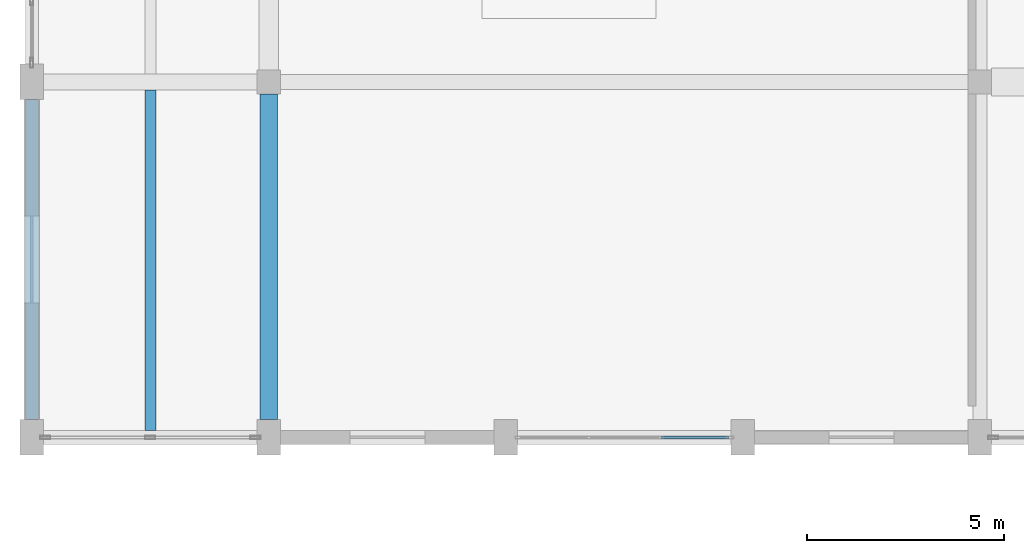
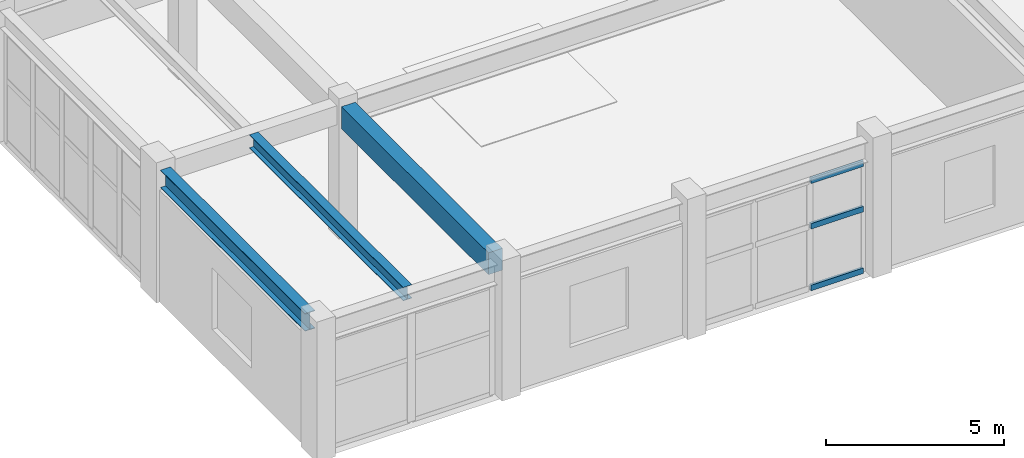
# One storey, part 9 of 80: 3 beams, 3 members, 1 element without a shape of its own.
"""IFC4 building model written with IfcOpenShell, lengths in metres."""

from ifc_helpers import new_model, si_unit, direction, frame, origin, origin_2d, place, context, subcontext, project, spatial, rectangle, hollow_rectangle, i_section, extrude, material, layer, layer_set, material_profile, profile_set, type_object, element, aggregate, save


model = new_model("IFC4")

# Units and contexts
model_context = context("Model", 3, precision=1e-05, world=origin(), true_north=direction((0.0, 1.0)))
body_context = subcontext(model_context, "Body", "Model", "MODEL_VIEW")
ifc_project = project(units=[si_unit("LENGTHUNIT", "METRE"), si_unit("AREAUNIT", "SQUARE_METRE"), si_unit("VOLUMEUNIT", "CUBIC_METRE"), si_unit("PLANEANGLEUNIT", "RADIAN"), si_unit("MASSUNIT", "GRAM", prefix="KILO")], contexts=[model_context])

# Site, building, storey
site_placement = place(None, origin())
site = spatial("IfcSite", under=ifc_project, at=site_placement, CompositionType="ELEMENT")
building_placement = place(site_placement, origin())
building = spatial("IfcBuilding", under=site, at=building_placement, Name="Vaelkrest Opera House", CompositionType="ELEMENT")
storey_placement = place(building_placement, frame((0.0, 0.0, 15.0)))
storey = spatial("IfcBuildingStorey", under=building, at=storey_placement, Name="L03", CompositionType="ELEMENT", Elevation=15.0)

# Beam
ifc_material_1 = material(Name="Concrete C50/60", Category="concrete")
ifc_material_profile_1 = material_profile(ifc_material_1, rectangle(XDim=0.449951171875, YDim=0.75, at=origin_2d()), Name="RCB450X750")
ifc_profile_set_1 = profile_set([ifc_material_profile_1], Name="Concrete C50/60")
beam_type_1 = type_object("IfcBeamType", Name="B02", PredefinedType="BEAM", material=ifc_profile_set_1)
beam_1_placement = place(storey_placement, frame((-69.60009765625, -16.35009765625, 4.1298828125), z_axis=(0.0, 1.0, 0.0), x_axis=(-1.0, 0.0, 0.0)))
element("IfcBeam", 1, at=beam_1_placement, inside=storey, type_object=beam_type_1, Name="Beam BM-V3-L03-1767", PredefinedType="BEAM", context=body_context, shape_type="SweptSolid", body=[
    extrude(rectangle(XDim=0.449951171875, YDim=0.75, at=origin_2d()), origin(), (0.0, 0.0, 1.0), 8.25),
])

# Curtain wall, members
ifc_material_2 = material(Name="Dark bronze anodized aluminium", Category="aluminium")
ifc_layer = layer(ifc_material_2, 0.22998046875)
ifc_layer_set = layer_set([ifc_layer], Name="Dark bronze anodized aluminium")
curtain_wall_type = type_object("IfcCurtainWallType", Name="CW06", PredefinedType="NOTDEFINED", material=ifc_layer_set)
curtain_wall_placement = place(storey_placement, origin())
curtain_wall = element("IfcCurtainWall", 2, at=curtain_wall_placement, inside=storey, type_object=curtain_wall_type, Name="Curtain wall CW-L03-127", PredefinedType="NOTDEFINED")
ifc_material_profile_2 = material_profile(ifc_material_2, hollow_rectangle(XDim=0.080078125, YDim=0.18994140625, WallThickness=0.0048828125, at=origin_2d()), Name="CWT80X190")
ifc_profile_set_2 = profile_set([ifc_material_profile_2], Name="Dark bronze anodized aluminium")
member_type = type_object("IfcMemberType", Name="CWT04", PredefinedType="USERDEFINED", material=ifc_profile_set_2)
member_1_placement = place(storey_placement, frame((-57.968017578125, -16.800048828125, 0.0400390625), z_axis=(-1.0, 0.0, 0.0), x_axis=(0.0, -1.0, 0.0)))
member_1 = element("IfcMember", 3, at=member_1_placement, type_object=member_type, Name="CW06 transom 1.1", ObjectType="TRANSOM", PredefinedType="USERDEFINED", context=body_context, shape_type="SweptSolid", body=[
    extrude(hollow_rectangle(XDim=0.080078125, YDim=0.18994140625, WallThickness=0.0048828125, at=origin_2d()), origin(), (0.0, 0.0, 1.0), 1.6962890625),
])
member_2_placement = place(storey_placement, frame((-57.968017578125, -16.800048828125, 2.14990234375), z_axis=(-1.0, 0.0, 0.0), x_axis=(0.0, -1.0, 0.0)))
member_2 = element("IfcMember", 4, at=member_2_placement, type_object=member_type, Name="CW06 transom 1.2", ObjectType="TRANSOM", PredefinedType="USERDEFINED", context=body_context, shape_type="SweptSolid", body=[
    extrude(hollow_rectangle(XDim=0.080078125, YDim=0.18994140625, WallThickness=0.0048828125, at=origin_2d()), origin(), (0.0, 0.0, 1.0), 1.6962890625),
])
member_3_placement = place(storey_placement, frame((-57.968017578125, -16.800048828125, 3.705078125), z_axis=(-1.0, 0.0, 0.0), x_axis=(0.0, -1.0, 0.0)))
member_3 = element("IfcMember", 5, at=member_3_placement, type_object=member_type, Name="CW06 transom 1.3", ObjectType="TRANSOM", PredefinedType="USERDEFINED", context=body_context, shape_type="SweptSolid", body=[
    extrude(hollow_rectangle(XDim=0.080078125, YDim=0.18994140625, WallThickness=0.0048828125, at=origin_2d()), origin(), (0.0, 0.0, 1.0), 1.6962890625),
])
aggregate(curtain_wall, [member_1, member_2, member_3])

# Beams
ifc_material_3 = material(Name="Steel A992 Gr50", Category="steel")
ifc_material_profile_3 = material_profile(ifc_material_3, i_section(OverallWidth=0.280029296875, OverallDepth=0.462890625, WebThickness=0.0107421875, FlangeThickness=0.017333984375, at=origin_2d()), Name="W18X76")
ifc_profile_set_3 = profile_set([ifc_material_profile_3], Name="Steel A992 Gr50")
beam_type_2 = type_object("IfcBeamType", Name="J09", PredefinedType="JOIST", material=ifc_profile_set_3)
beam_2_placement = place(storey_placement, frame((-72.60009765625, -16.62255859375, 4.2734375), z_axis=(0.0, 1.0, 0.0), x_axis=(-1.0, 0.0, 0.0)))
element("IfcBeam", 6, at=beam_2_placement, inside=storey, type_object=beam_type_2, Name="Floor joist JST-V3-L03-1789", PredefinedType="JOIST", context=body_context, shape_type="SweptSolid", body=[
    extrude(i_section(OverallWidth=0.280029296875, OverallDepth=0.462890625, WebThickness=0.0107421875, FlangeThickness=0.017333984375, at=origin_2d()), origin(), (0.0, 0.0, 1.0), 8.62255859375),
])
ifc_material_profile_4 = material_profile(ifc_material_3, i_section(OverallWidth=0.323974609375, OverallDepth=0.611083984375, WebThickness=0.0126953125, FlangeThickness=0.01904296875, at=origin_2d()), Name="W24X104")
ifc_profile_set_4 = profile_set([ifc_material_profile_4], Name="Steel A992 Gr50")
beam_type_3 = type_object("IfcBeamType", Name="SP01", PredefinedType="SPANDREL", material=ifc_profile_set_4)
beam_3_placement = place(storey_placement, frame((-75.60009765625, -16.35009765625, 4.199462890625), z_axis=(0.0, 1.0, 0.0), x_axis=(-1.0, 0.0, 0.0)))
element("IfcBeam", 7, at=beam_3_placement, inside=storey, type_object=beam_type_3, Name="Beam BM-V3-L03-1763", PredefinedType="SPANDREL", context=body_context, shape_type="SweptSolid", body=[
    extrude(i_section(OverallWidth=0.323974609375, OverallDepth=0.611083984375, WebThickness=0.0126953125, FlangeThickness=0.01904296875, at=origin_2d()), origin(), (0.0, 0.0, 1.0), 8.10009765625),
])

save(model, "model.ifc")
